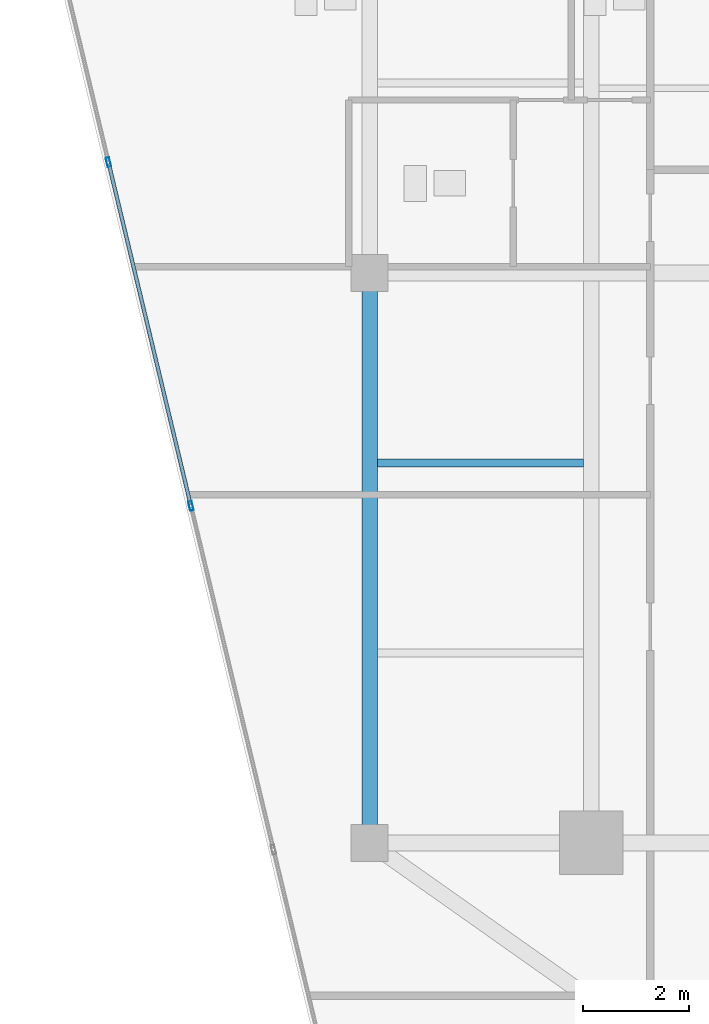
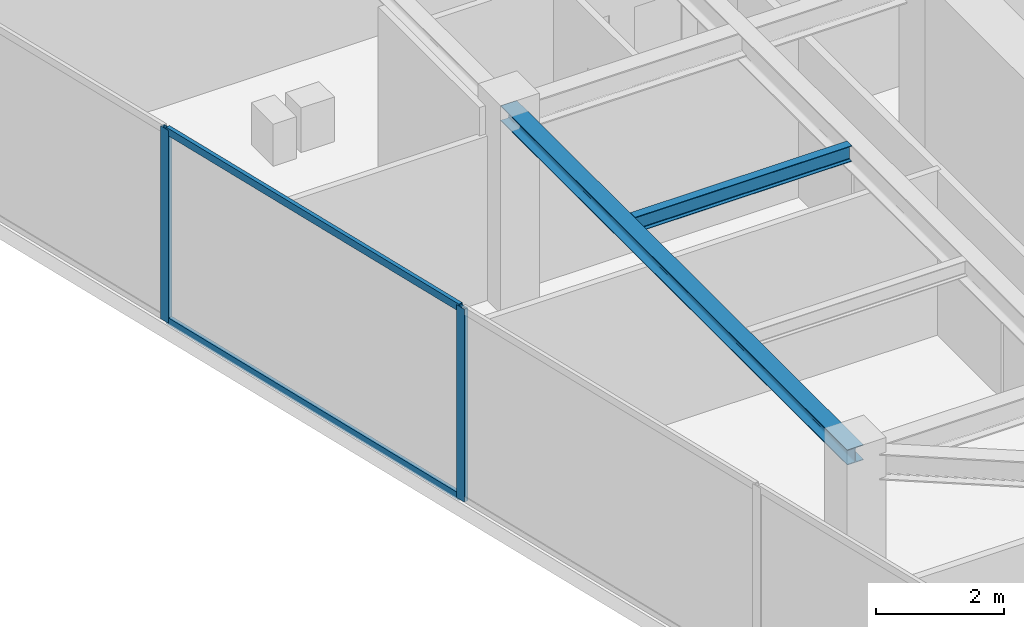
# One storey, part 5 of 22: 4 members, 2 beams, 1 element without a shape of its own.
"""IFC4 building model written with IfcOpenShell, lengths in metres."""

from ifc_helpers import new_model, si_unit, direction, frame, origin, origin_2d, place, context, subcontext, project, spatial, hollow_rectangle, i_section, extrude, source, transform, mapped, material, material_profile, profile_set, type_object, type_shapes, element, aggregate, save


model = new_model("IFC4")

# Units and contexts
model_context = context("Model", 3, precision=1e-05, world=origin(), true_north=direction((0.0, 1.0)))
body_context = subcontext(model_context, "Body", "Model", "MODEL_VIEW")
ifc_project = project(units=[si_unit("LENGTHUNIT", "METRE"), si_unit("AREAUNIT", "SQUARE_METRE"), si_unit("VOLUMEUNIT", "CUBIC_METRE"), si_unit("PLANEANGLEUNIT", "RADIAN"), si_unit("MASSUNIT", "GRAM", prefix="KILO")], contexts=[model_context])

# Site, building, storey
site_placement = place(None, origin())
site = spatial("IfcSite", under=ifc_project, at=site_placement, CompositionType="ELEMENT")
building_placement = place(site_placement, origin())
building = spatial("IfcBuilding", under=site, at=building_placement, Name="Krantzveldt Concourse Tower", CompositionType="ELEMENT")
storey_placement = place(building_placement, frame((0.0, 0.0, 355.35009765625)))
storey = spatial("IfcBuildingStorey", under=building, at=storey_placement, Name="L87", CompositionType="ELEMENT", Elevation=355.35009765625)

# Beams
ifc_material_1 = material(Name="Steel S355JR", Category="steel")
ifc_material_profile_1 = material_profile(ifc_material_1, i_section(OverallWidth=0.2900390625, OverallDepth=0.2900390625, WebThickness=0.008544921875, FlangeThickness=0.013916015625, FilletRadius=0.027099609375, at=origin_2d()), Name="Steel S355JR", Category="steel")
ifc_profile_set_1 = profile_set([ifc_material_profile_1], Name="Steel S355JR - HEA 300")
beam_type_1 = type_object("IfcBeamType", Name="BM-SP-HEA300", PredefinedType="SPANDREL", material=ifc_profile_set_1)
shared_shape_1 = source(origin(), body_context, "Body", "SweptSolid", [
    extrude(i_section(OverallWidth=0.2900390625, OverallDepth=0.2900390625, WebThickness=0.008544921875, FlangeThickness=0.013916015625, FilletRadius=0.027099609375, at=origin_2d()), origin(), (0.0, 0.0, 1.0), 10.800048828125),
])
type_shapes(beam_type_1, [shared_shape_1])
beam_1_placement = place(storey_placement, frame((21.0, 15.89990234375, 3.52490234375), z_axis=(0.0, 1.0, 0.0), x_axis=(-1.0, 0.0, 0.0)))
element("IfcBeam", 1, at=beam_1_placement, inside=storey, type_object=beam_type_1, Name="L87 Tower Girder SP-R01", PredefinedType="SPANDREL", context=body_context, shape_type="MappedRepresentation", body=[
    mapped(shared_shape_1, transform((0.0, 0.0, 0.0), x_axis=(1.0, 0.0, 0.0), y_axis=(0.0, 1.0, 0.0), z_axis=(0.0, 0.0, 1.0), scale=1.0)),
])
ifc_material_profile_2 = material_profile(ifc_material_1, i_section(OverallWidth=0.14990234375, OverallDepth=0.300048828125, WebThickness=0.007080078125, FlangeThickness=0.0107421875, FilletRadius=0.014892578125, at=origin_2d()), Name="Steel S355JR", Category="steel")
ifc_profile_set_2 = profile_set([ifc_material_profile_2], Name="Steel S355JR - IPE 300")
beam_type_2 = type_object("IfcBeamType", Name="BM-J-IPE300", PredefinedType="JOIST", material=ifc_profile_set_2)
shared_shape_2 = source(origin(), body_context, "Body", "SweptSolid", [
    extrude(i_section(OverallWidth=0.14990234375, OverallDepth=0.300048828125, WebThickness=0.007080078125, FlangeThickness=0.0107421875, FilletRadius=0.014892578125, at=origin_2d()), origin(), (0.0, 0.0, 1.0), 3.900146484375),
])
type_shapes(beam_type_2, [shared_shape_2])
beam_2_placement = place(storey_placement, frame((21.14990234375, 23.10009765625, 3.52001953125), z_axis=(1.0, 0.0, 0.0), x_axis=(0.0, 1.0, 0.0)))
element("IfcBeam", 2, at=beam_2_placement, inside=storey, type_object=beam_type_2, Name="L87 Secondary Floor Joist JW-2", PredefinedType="JOIST", context=body_context, shape_type="MappedRepresentation", body=[
    mapped(shared_shape_2, transform((0.0, 0.0, 0.0), x_axis=(1.0, 0.0, 0.0), y_axis=(0.0, 1.0, 0.0), z_axis=(0.0, 0.0, 1.0), scale=1.0)),
])

# Curtain wall, members
ifc_material_2 = material(Name="Anodised aluminium 6063-T6", Category="aluminium")
curtain_wall_type = type_object("IfcCurtainWallType", Name="CW4", PredefinedType="USERDEFINED", material=ifc_material_2)
curtain_wall_placement = place(storey_placement, origin())
curtain_wall = element("IfcCurtainWall", 3, at=curtain_wall_placement, inside=storey, type_object=curtain_wall_type, Name="CW-L87-F04", ObjectType="UNITISED CURTAIN WALL", PredefinedType="USERDEFINED")
ifc_material_profile_3 = material_profile(ifc_material_2, hollow_rectangle(XDim=0.070068359375, YDim=0.179931640625, WallThickness=0.0048828125, at=origin_2d()), Name="Anodised aluminium 6063-T6", Category="aluminium")
ifc_profile_set_3 = profile_set([ifc_material_profile_3], Name="Anodised aluminium 6063-T6 - ALU-MULL 180x70x5")
member_type_1 = type_object("IfcMemberType", Name="CW-MUL-180", PredefinedType="MULLION", material=ifc_profile_set_3)
shared_shape_3 = source(origin(), body_context, "Body", "SweptSolid", [
    extrude(hollow_rectangle(XDim=0.070068359375, YDim=0.179931640625, WallThickness=0.0048828125, at=origin_2d()), origin(), (0.0, 0.0, 1.0), 3.669921875),
])
type_shapes(member_type_1, [shared_shape_3])
member_1_placement = place(storey_placement, frame((16.04833984375, 28.800537109375, 0.0), z_axis=(0.0, 0.0, 1.0), x_axis=(0.972369896884, 0.233445461796, 0.0)))
member_1 = element("IfcMember", 4, at=member_1_placement, type_object=member_type_1, Name="CW-Z56 mullion 2", PredefinedType="MULLION", context=body_context, shape_type="MappedRepresentation", body=[
    mapped(shared_shape_3, transform((0.0, 0.0, 0.0), x_axis=(1.0, 0.0, 0.0), y_axis=(0.0, 1.0, 0.0), z_axis=(0.0, 0.0, 1.0), scale=1.0)),
])
member_2_placement = place(storey_placement, frame((17.612548828125, 22.28564453125, 0.0), z_axis=(0.0, 0.0, 1.0), x_axis=(0.972369896884, 0.233445461796, 0.0)))
member_2 = element("IfcMember", 5, at=member_2_placement, type_object=member_type_1, Name="CW-Z56 mullion 3", PredefinedType="MULLION", context=body_context, shape_type="MappedRepresentation", body=[
    mapped(shared_shape_3, transform((0.0, 0.0, 0.0), x_axis=(1.0, 0.0, 0.0), y_axis=(0.0, 1.0, 0.0), z_axis=(0.0, 0.0, 1.0), scale=1.0)),
])
ifc_material_profile_4 = material_profile(ifc_material_2, hollow_rectangle(XDim=0.070068359375, YDim=0.139892578125, WallThickness=0.0048828125, at=origin_2d()), Name="Anodised aluminium 6063-T6", Category="aluminium")
ifc_profile_set_4 = profile_set([ifc_material_profile_4], Name="Anodised aluminium 6063-T6 - ALU-TRAN 140x70x5")
member_type_2 = type_object("IfcMemberType", Name="CW-TRN-150", PredefinedType="USERDEFINED", material=ifc_profile_set_4)
shared_shape_4 = source(origin(), body_context, "Body", "SweptSolid", [
    extrude(hollow_rectangle(XDim=0.070068359375, YDim=0.139892578125, WallThickness=0.0048828125, at=origin_2d()), origin(), (0.0, 0.0, 1.0), 6.6298828125),
])
type_shapes(member_type_2, [shared_shape_4])
member_3_placement = place(storey_placement, frame((16.056640625, 28.766357421875, 0.034912109375), z_axis=(0.233427268888, -0.972374264437, 0.0), x_axis=(0.972374264437, 0.233427268888, 0.0)))
member_3 = element("IfcMember", 6, at=member_3_placement, type_object=member_type_2, Name="CW-Z56 transom 2.1", ObjectType="TRANSOM", PredefinedType="USERDEFINED", context=body_context, shape_type="MappedRepresentation", body=[
    mapped(shared_shape_4, transform((0.0, 0.0, 0.0), x_axis=(1.0, 0.0, 0.0), y_axis=(0.0, 1.0, 0.0), z_axis=(0.0, 0.0, 1.0), scale=1.0)),
])
member_4_placement = place(storey_placement, frame((16.056640625, 28.766357421875, 3.635009765625), z_axis=(0.233427268888, -0.972374264437, 0.0), x_axis=(0.972374264437, 0.233427268888, 0.0)))
member_4 = element("IfcMember", 7, at=member_4_placement, type_object=member_type_2, Name="CW-Z56 transom 2.2", ObjectType="TRANSOM", PredefinedType="USERDEFINED", context=body_context, shape_type="MappedRepresentation", body=[
    mapped(shared_shape_4, transform((0.0, 0.0, 0.0), x_axis=(1.0, 0.0, 0.0), y_axis=(0.0, 1.0, 0.0), z_axis=(0.0, 0.0, 1.0), scale=1.0)),
])
aggregate(curtain_wall, [member_1, member_2, member_3, member_4])

save(model, "model.ifc")
